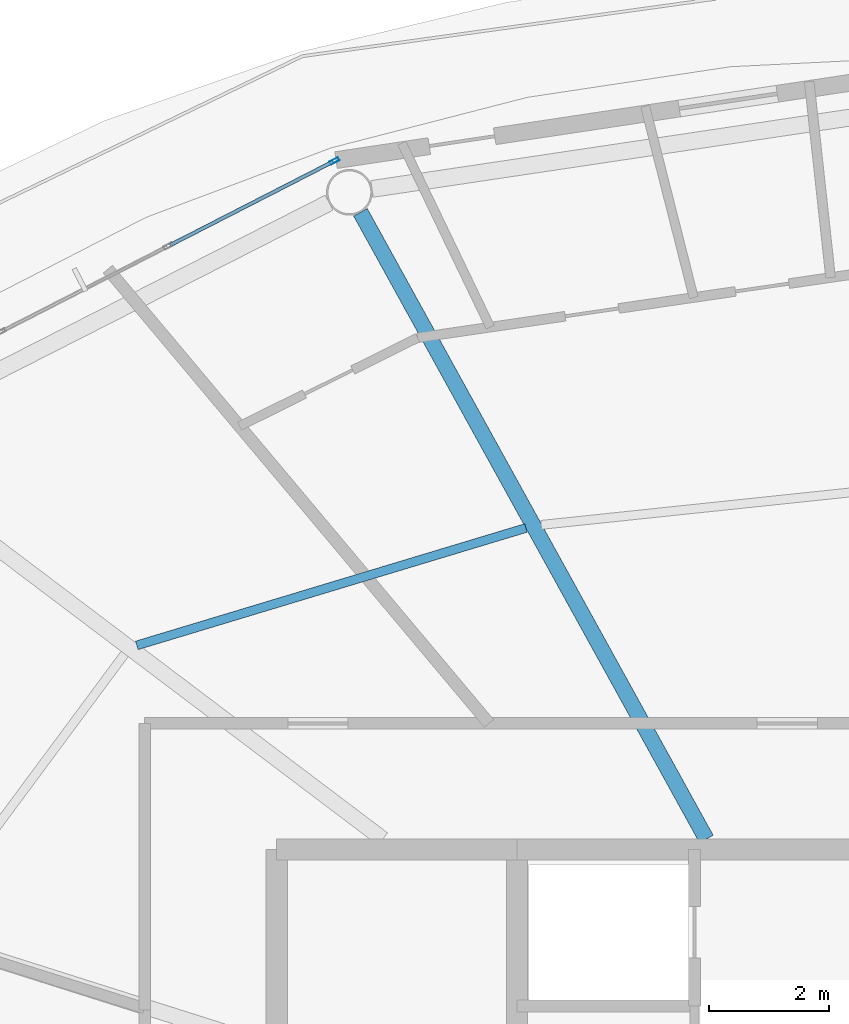
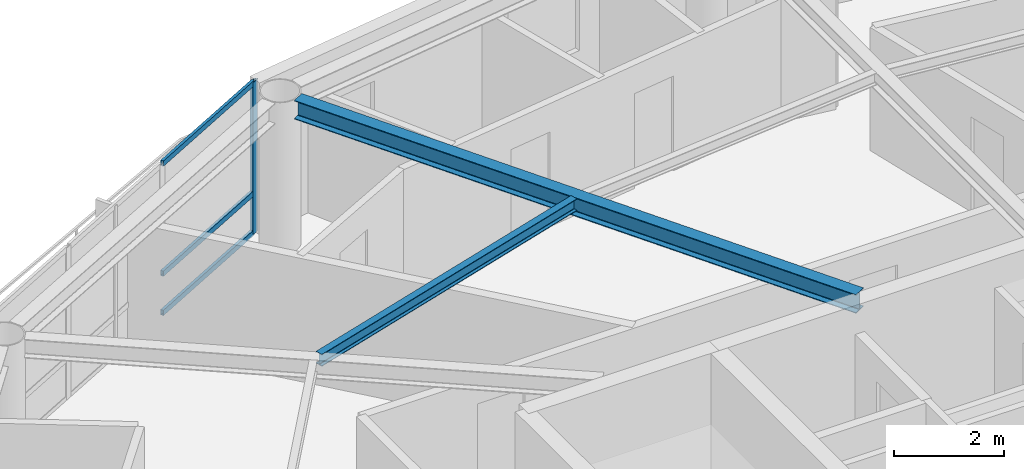
# One storey, part 9 of 23: 4 members, 2 beams, 1 element without a shape of its own.
"""IFC4 building model written with IfcOpenShell, lengths in metres."""

import ifcopenshell
import ifcopenshell.guid

model = None  # the IFC model being written
_history = None  # IfcOwnerHistory: only IFC2X3 demands one
_inside = {}  # id of a spatial element -> (the spatial element, [elements in it])
_under = {}  # id of a project, library or spatial element -> (it, [spatial elements below it])
_declared = {}  # id of a project -> (the project, [libraries it declares])
_typed = {}  # id of a type object -> (the type object, [elements of that type])
_made_of = {}  # id of a material, layer set ... -> (it, [elements and type objects made of it])


def new_model(schema):
    """Start an empty IFC model of exactly this schema.

    Asked for "IFC4X3", IfcOpenShell would pick the latest addendum, in which some entities
    have other attributes; the version numbers below select the first issue.
    IFC2X3 requires an IfcOwnerHistory on every rooted entity: one is made here for all.
    """
    global model, _history
    if schema == "IFC4X3":
        model = ifcopenshell.file(schema_version=(4, 3, 0, 0))
    else:
        model = ifcopenshell.file(schema=schema)
    _inside.clear()
    _under.clear()
    _declared.clear()
    _typed.clear()
    _made_of.clear()
    _history = None
    if model.schema == "IFC2X3":
        org = make("IfcOrganization", Name="unknown")
        user = make(
            "IfcPersonAndOrganization",
            ThePerson=make("IfcPerson", FamilyName="unknown"),
            TheOrganization=org,
        )
        app = make(
            "IfcApplication",
            ApplicationDeveloper=org,
            Version="unknown",
            ApplicationFullName="unknown",
            ApplicationIdentifier="unknown",
        )
        _history = make(
            "IfcOwnerHistory",
            OwningUser=user,
            OwningApplication=app,
            ChangeAction="ADDED",
            CreationDate=0,
        )
    return model


def make(cls, **values):
    """One entity of the class cls with the attributes given. An attribute that is None is left unset."""
    return model.create_entity(
        cls, **{name: value for name, value in values.items() if value is not None}
    )


def rooted(cls, **values):
    """An entity with a GlobalId (a new one), such as an element, a storey or a relation."""
    return make(cls, GlobalId=ifcopenshell.guid.new(), OwnerHistory=_history, **values)


def si_unit(unit_type, name, prefix=None):
    """IfcSIUnit, for example si_unit("LENGTHUNIT", "METRE", prefix="MILLI")."""
    return make("IfcSIUnit", UnitType=unit_type, Prefix=prefix, Name=name)


def assignment(units):
    """IfcUnitAssignment: the units of a project."""
    return None if units is None else make("IfcUnitAssignment", Units=units)


def point(xyz):
    """IfcCartesianPoint."""
    return None if xyz is None else make("IfcCartesianPoint", Coordinates=xyz)


def direction(xyz):
    """IfcDirection."""
    return None if xyz is None else make("IfcDirection", DirectionRatios=xyz)


def frame(location, z_axis=None, x_axis=None):
    """IfcAxis2Placement3D, a coordinate frame: its origin and axes. An axis left out is left unset."""
    return make(
        "IfcAxis2Placement3D",
        Location=point(location),
        Axis=direction(z_axis),
        RefDirection=direction(x_axis),
    )


def frame_2d(location, x_axis=None):
    """IfcAxis2Placement2D, a coordinate frame in the plane: its origin and x axis."""
    return make(
        "IfcAxis2Placement2D", Location=point(location), RefDirection=direction(x_axis)
    )


def origin():
    """The frame at (0, 0, 0) with its axes left unset."""
    return frame((0.0, 0.0, 0.0))


def origin_2d():
    """The frame at (0, 0) in the plane with its x axis left unset."""
    return frame_2d((0.0, 0.0))


def place(relative_to, where):
    """IfcLocalPlacement: puts the frame where relative to a parent placement (None: the world)."""
    return make(
        "IfcLocalPlacement", PlacementRelTo=relative_to, RelativePlacement=where
    )


def context(
    kind, dimensions, precision=None, world=None, true_north=None, identifier=None
):
    """IfcGeometricRepresentationContext, for example the 3D "Model" context."""
    return make(
        "IfcGeometricRepresentationContext",
        ContextIdentifier=identifier,
        ContextType=kind,
        CoordinateSpaceDimension=dimensions,
        Precision=precision,
        WorldCoordinateSystem=world,
        TrueNorth=true_north,
    )


def subcontext(parent, identifier, kind, view, scale=None):
    """IfcGeometricRepresentationSubContext, for example "Body" below "Model"."""
    return make(
        "IfcGeometricRepresentationSubContext",
        ContextIdentifier=identifier,
        ContextType=kind,
        ParentContext=parent,
        TargetScale=scale,
        TargetView=view,
    )


def project(units=None, contexts=None):
    """IfcProject with its units and contexts."""
    return rooted(
        "IfcProject",
        Name="project",
        RepresentationContexts=contexts,
        UnitsInContext=assignment(units),
    )


def spatial(cls, under=None, at=None, **own):
    """A site, building, storey or space (cls), placed at a placement, below another one or the project."""
    s = rooted(cls, ObjectPlacement=at, **own)
    if under is not None:
        _under.setdefault(under.id(), (under, []))[1].append(s)
    return s


def profile(cls, at=None, kind="AREA", **sizes):
    """A parametric profile (cls). Its sizes go by their IFC names, for example OverallWidth=200.0."""
    return make(cls, ProfileType=kind, Position=at, **sizes)


def hollow_rectangle(**sizes):
    """IfcRectangleHollowProfileDef."""
    return profile("IfcRectangleHollowProfileDef", **sizes)


def i_section(**sizes):
    """IfcIShapeProfileDef."""
    return profile("IfcIShapeProfileDef", **sizes)


def extrude(swept, where, along, depth):
    """IfcExtrudedAreaSolid: the profile swept, set in the frame where, extruded along a direction by depth."""
    return make(
        "IfcExtrudedAreaSolid",
        SweptArea=swept,
        Position=where,
        ExtrudedDirection=direction(along),
        Depth=depth,
    )


def shape(context_of_items, identifier, shape_type, items):
    """IfcShapeRepresentation: the items that make up one representation, for example the "Body"."""
    return make(
        "IfcShapeRepresentation",
        ContextOfItems=context_of_items,
        RepresentationIdentifier=identifier,
        RepresentationType=shape_type,
        Items=items,
    )


def material(Name=None, Category=None):
    """IfcMaterial."""
    return make("IfcMaterial", Name=Name, Category=Category)


def layer(
    of_material, thickness, ventilated=None, Name=None, Category=None, Priority=None
):
    """IfcMaterialLayer: one layer of a wall or slab, of a material (None: an air gap)."""
    return make(
        "IfcMaterialLayer",
        Material=of_material,
        LayerThickness=thickness,
        IsVentilated=ventilated,
        Name=Name,
        Category=Category,
        Priority=Priority,
    )


def layer_set(layers, Name=None):
    """IfcMaterialLayerSet."""
    return make("IfcMaterialLayerSet", MaterialLayers=layers, LayerSetName=Name)


def material_profile(
    of_material, cross_section, Name=None, Category=None, Priority=None
):
    """IfcMaterialProfile: a cross section and its material."""
    return make(
        "IfcMaterialProfile",
        Name=Name,
        Material=of_material,
        Profile=cross_section,
        Priority=Priority,
        Category=Category,
    )


def profile_set(profiles, Name=None, composite=None):
    """IfcMaterialProfileSet."""
    return make(
        "IfcMaterialProfileSet",
        Name=Name,
        MaterialProfiles=profiles,
        CompositeProfile=composite,
    )


def made_of(thing, what):
    """Note that an element or type object is made of a material, layer set ...; save() writes the relation."""
    if what is not None:
        _made_of.setdefault(what.id(), (what, []))[1].append(thing)
    return thing


def type_object(cls, material=None, **own):
    """A type object (cls), such as IfcWallType, which elements share."""
    return made_of(rooted(cls, **own), material)


def element(
    cls,
    number,
    at=None,
    inside=None,
    cuts=None,
    type_object=None,
    material=None,
    context=None,
    identifier="Body",
    shape_type=None,
    held_by="IfcProductDefinitionShape",
    body=None,
    shapes=None,
    **own,
):
    """One element of the class cls, such as IfcWall. Its Tag is "e" and its number.

    at: its placement. inside: the storey or other place that contains it. cuts: it is an
    opening in that element (IfcRelVoidsElement). A single representation is given by context,
    identifier, shape_type and body (its items); several are given by shapes. held_by: the class
    of the entity that holds the representations. save() writes the other relations.
    """
    e = rooted(cls, Tag="e%d" % number, ObjectPlacement=at, **own)
    if body is not None:
        shapes = [shape(context, identifier, shape_type, body)]
    if shapes is not None:
        e.Representation = make(held_by, Representations=shapes)
    if inside is not None:
        _inside.setdefault(inside.id(), (inside, []))[1].append(e)
    if cuts is not None:
        rooted(
            "IfcRelVoidsElement", RelatingBuildingElement=cuts, RelatedOpeningElement=e
        )
    if type_object is not None:
        _typed.setdefault(type_object.id(), (type_object, []))[1].append(e)
    return made_of(e, material)


def aggregate(whole, parts):
    """IfcRelAggregates: a whole, such as a stair, and the parts it consists of."""
    return rooted("IfcRelAggregates", RelatingObject=whole, RelatedObjects=parts)


def save(model, path):
    """Write the relations noted so far, then the file.

    IfcRelAggregates (storeys below a building ...), IfcRelContainedInSpatialStructure (elements
    in a storey), IfcRelDefinesByType, IfcRelAssociatesMaterial and IfcRelDeclares: one each for
    every whole, place, type object, material and project.
    """
    for whole, parts in _under.values():
        aggregate(whole, parts)
    for where, things in _inside.values():
        rooted(
            "IfcRelContainedInSpatialStructure",
            RelatedElements=things,
            RelatingStructure=where,
        )
    for kind, things in _typed.values():
        rooted("IfcRelDefinesByType", RelatedObjects=things, RelatingType=kind)
    for what, things in _made_of.values():
        rooted("IfcRelAssociatesMaterial", RelatedObjects=things, RelatingMaterial=what)
    for by, libraries in _declared.values():
        rooted("IfcRelDeclares", RelatingContext=by, RelatedDefinitions=libraries)
    model.write(path)


model = new_model("IFC4")

# Units and contexts
model_context = context("Model", 3, precision=1e-05, world=origin(), true_north=direction((0.0, 1.0)))
body_context = subcontext(model_context, "Body", "Model", "MODEL_VIEW")
ifc_project = project(units=[si_unit("LENGTHUNIT", "METRE"), si_unit("AREAUNIT", "SQUARE_METRE"), si_unit("VOLUMEUNIT", "CUBIC_METRE"), si_unit("PLANEANGLEUNIT", "RADIAN"), si_unit("MASSUNIT", "GRAM", prefix="KILO")], contexts=[model_context])

# Site, building, storey
site_placement = place(None, origin())
site = spatial("IfcSite", under=ifc_project, at=site_placement, CompositionType="ELEMENT")
building_placement = place(site_placement, origin())
building = spatial("IfcBuilding", under=site, at=building_placement, Name="Sarneth Arch Tower", CompositionType="ELEMENT")
storey_placement = place(building_placement, frame((0.0, 0.0, 269.39990234375)))
storey = spatial("IfcBuildingStorey", under=building, at=storey_placement, Name="L69", CompositionType="ELEMENT", Elevation=269.39990234375)

# Beams
ifc_material_1 = material(Name="Steel S355", Category="steel")
ifc_material_profile_1 = material_profile(ifc_material_1, i_section(OverallWidth=0.14794921875, OverallDepth=0.26611328125, WebThickness=0.007568359375, FlangeThickness=0.012939453125, FilletRadius=0.012939453125, at=origin_2d()), Name="W250x44.8")
ifc_profile_set_1 = profile_set([ifc_material_profile_1], Name="Steel S355")
beam_type_1 = type_object("IfcBeamType", Name="BM-JOIST-250", PredefinedType="JOIST", material=ifc_profile_set_1)
beam_1_placement = place(storey_placement, frame((41.147216796875, 54.15234375, 3.237060546875), z_axis=(-0.957373106971, -0.288854174367, 0.0), x_axis=(0.288854174367, -0.957373106971, 0.0)))
element("IfcBeam", 1, at=beam_1_placement, inside=storey, type_object=beam_type_1, Name="L69 Secondary floor joist 06", PredefinedType="JOIST", context=body_context, shape_type="SweptSolid", body=[
    extrude(i_section(OverallWidth=0.14794921875, OverallDepth=0.26611328125, WebThickness=0.007568359375, FlangeThickness=0.012939453125, FilletRadius=0.012939453125, at=origin_2d()), origin(), (0.0, 0.0, 1.0), 6.76416015625),
])
ifc_material_2 = material(Name="Steel S355", Category="steel")
ifc_material_profile_2 = material_profile(ifc_material_2, i_section(OverallWidth=0.260009765625, OverallDepth=0.4150390625, WebThickness=0.010009765625, FlangeThickness=0.016845703125, FilletRadius=0.01611328125, at=origin_2d()), Name="W410x100")
ifc_profile_set_2 = profile_set([ifc_material_profile_2], Name="Steel S355")
beam_type_2 = type_object("IfcBeamType", Name="BM-RAD-410A", PredefinedType="BEAM", material=ifc_profile_set_2)
beam_2_placement = place(storey_placement, frame((44.150146484375, 48.97509765625, 3.16259765625), z_axis=(-0.483231193732, 0.875492783182, 0.0), x_axis=(-0.875492783182, -0.483231193732, 0.0)))
element("IfcBeam", 2, at=beam_2_placement, inside=storey, type_object=beam_type_2, Name="L69 Radial floor girder 06", PredefinedType="BEAM", context=body_context, shape_type="SweptSolid", body=[
    extrude(i_section(OverallWidth=0.260009765625, OverallDepth=0.4150390625, WebThickness=0.010009765625, FlangeThickness=0.016845703125, FilletRadius=0.01611328125, at=origin_2d()), origin(), (0.0, 0.0, 1.0), 11.913330078125),
])

# Curtain wall, members
ifc_material_3 = material(Name="Anodised aluminium Type AA25 and solar-control low-e laminated IGU", Category="aluminium")
ifc_layer = layer(ifc_material_3, 0.179931640625)
ifc_layer_set = layer_set([ifc_layer], Name="Anodised aluminium Type AA25 and solar-control low-e laminated IGU")
curtain_wall_type = type_object("IfcCurtainWallType", Name="CW-RES-HIGH", PredefinedType="NOTDEFINED", material=ifc_layer_set)
curtain_wall_placement = place(storey_placement, origin())
curtain_wall = element("IfcCurtainWall", 3, at=curtain_wall_placement, inside=storey, type_object=curtain_wall_type, Name="L69 Unitised curtain wall facet 06", PredefinedType="NOTDEFINED")
ifc_material_4 = material(Name="Anodised Aluminium 6063-T6", Category="aluminium")
ifc_material_profile_3 = material_profile(ifc_material_4, hollow_rectangle(XDim=0.06005859375, YDim=0.159912109375, WallThickness=0.00390625, at=origin_2d()), Name="AL-MULL-160x60x4")
ifc_profile_set_3 = profile_set([ifc_material_profile_3], Name="Anodised Aluminium 6063-T6")
member_type_1 = type_object("IfcMemberType", Name="CW-MULLION", PredefinedType="MULLION", material=ifc_profile_set_3)
member_1_placement = place(storey_placement, frame((37.960693359375, 60.2607421875, 0.0), z_axis=(0.0, 0.0, 1.0), x_axis=(0.455941901753, -0.890009540525, 0.0)))
member_1 = element("IfcMember", 4, at=member_1_placement, type_object=member_type_1, Name="CW-SYS-6 mullion 1", PredefinedType="MULLION", context=body_context, shape_type="SweptSolid", body=[
    extrude(hollow_rectangle(XDim=0.06005859375, YDim=0.159912109375, WallThickness=0.00390625, at=origin_2d()), origin(), (0.0, 0.0, 1.0), 3.3701171875),
])
ifc_material_5 = material(Name="Anodised Aluminium 6063-T6", Category="aluminium")
ifc_material_profile_4 = material_profile(ifc_material_5, hollow_rectangle(XDim=0.06005859375, YDim=0.1201171875, WallThickness=0.00390625, at=origin_2d()), Name="AL-TRAN-120x60x4")
ifc_profile_set_4 = profile_set([ifc_material_profile_4], Name="Anodised Aluminium 6063-T6")
member_type_2 = type_object("IfcMemberType", Name="CW-TRANSOM", PredefinedType="USERDEFINED", material=ifc_profile_set_4)
member_2_placement = place(storey_placement, frame((37.933837890625, 60.2470703125, 0.030029296875), z_axis=(-0.889973523166, -0.456012201662, 0.0), x_axis=(0.456012201662, -0.889973523166, 0.0)))
member_2 = element("IfcMember", 5, at=member_2_placement, type_object=member_type_2, Name="CW-SYS-6 transom 1.1", ObjectType="TRANSOM", PredefinedType="USERDEFINED", context=body_context, shape_type="SweptSolid", body=[
    extrude(hollow_rectangle(XDim=0.06005859375, YDim=0.1201171875, WallThickness=0.00390625, at=origin_2d()), origin(), (0.0, 0.0, 1.0), 3.044677734375),
])
member_3_placement = place(storey_placement, frame((37.933837890625, 60.2470703125, 0.900146484375), z_axis=(-0.889973523166, -0.456012201662, 0.0), x_axis=(0.456012201662, -0.889973523166, 0.0)))
member_3 = element("IfcMember", 6, at=member_3_placement, type_object=member_type_2, Name="CW-SYS-6 transom 1.2", ObjectType="TRANSOM", PredefinedType="USERDEFINED", context=body_context, shape_type="SweptSolid", body=[
    extrude(hollow_rectangle(XDim=0.06005859375, YDim=0.1201171875, WallThickness=0.00390625, at=origin_2d()), origin(), (0.0, 0.0, 1.0), 3.044677734375),
])
member_4_placement = place(storey_placement, frame((37.933837890625, 60.2470703125, 3.340087890625), z_axis=(-0.889973523166, -0.456012201662, 0.0), x_axis=(0.456012201662, -0.889973523166, 0.0)))
member_4 = element("IfcMember", 7, at=member_4_placement, type_object=member_type_2, Name="CW-SYS-6 transom 1.3", ObjectType="TRANSOM", PredefinedType="USERDEFINED", context=body_context, shape_type="SweptSolid", body=[
    extrude(hollow_rectangle(XDim=0.06005859375, YDim=0.1201171875, WallThickness=0.00390625, at=origin_2d()), origin(), (0.0, 0.0, 1.0), 3.044677734375),
])
aggregate(curtain_wall, [member_1, member_2, member_3, member_4])

save(model, "model.ifc")
